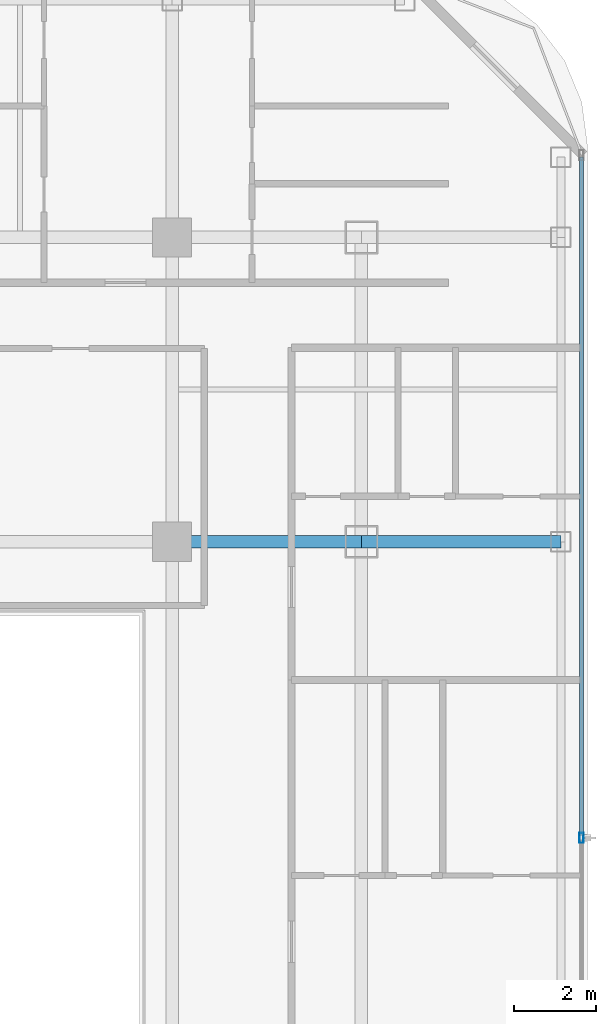
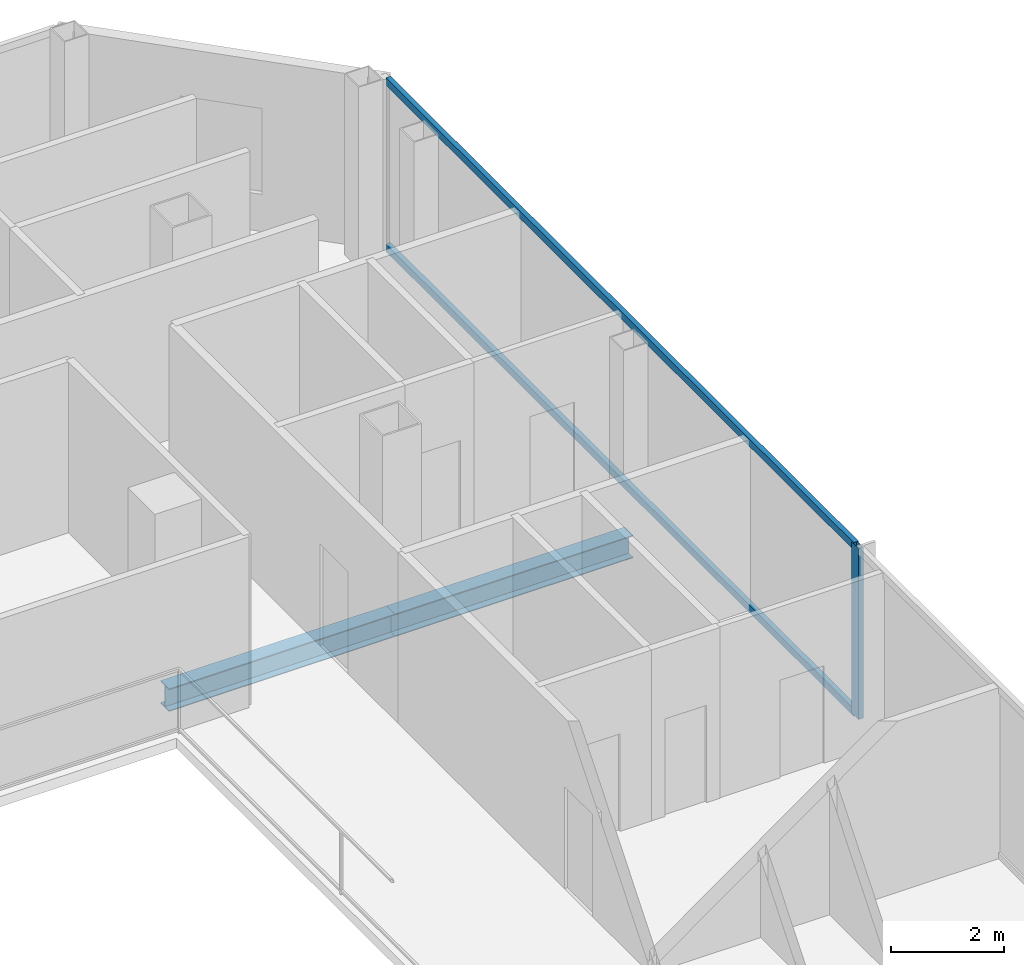
# One storey, part 10 of 26: 3 members, 2 beams, 1 element without a shape of its own.
"""IFC4 building model written with IfcOpenShell, lengths in metres."""

from ifc_helpers import new_model, si_unit, direction, frame, origin, origin_2d, place, context, subcontext, project, spatial, hollow_rectangle, i_section, extrude, material, layer, layer_set, material_profile, profile_set, type_object, element, aggregate, save


model = new_model("IFC4")

# Units and contexts
model_context = context("Model", 3, precision=1e-05, world=origin(), true_north=direction((0.0, 1.0)))
body_context = subcontext(model_context, "Body", "Model", "MODEL_VIEW")
ifc_project = project(units=[si_unit("LENGTHUNIT", "METRE"), si_unit("AREAUNIT", "SQUARE_METRE"), si_unit("VOLUMEUNIT", "CUBIC_METRE"), si_unit("PLANEANGLEUNIT", "RADIAN"), si_unit("MASSUNIT", "GRAM", prefix="KILO")], contexts=[model_context])

# Site, building, storey
site_placement = place(None, origin())
site = spatial("IfcSite", under=ifc_project, at=site_placement, CompositionType="ELEMENT")
building_placement = place(site_placement, origin())
building = spatial("IfcBuilding", under=site, at=building_placement, Name="Khorvyn Point Tower", CompositionType="ELEMENT")
storey_placement = place(building_placement, frame((0.0, 0.0, 262.5)))
storey = spatial("IfcBuildingStorey", under=building, at=storey_placement, Name="L64", CompositionType="ELEMENT", Elevation=262.5)

# Curtain wall, members
ifc_material_1 = material(Name="Anodised aluminium 6063-T6 and laminated Low-E glass", Category="aluminium")
ifc_layer = layer(ifc_material_1, 0.18994140625)
ifc_layer_set = layer_set([ifc_layer], Name="Stick-Built High-Wind Curtain Wall CW-SYS-04")
curtain_wall_type = type_object("IfcCurtainWallType", Name="Stick-Built High-Wind Curtain Wall CW-SYS-04", PredefinedType="NOTDEFINED", material=ifc_layer_set)
curtain_wall_placement = place(storey_placement, origin())
curtain_wall = element("IfcCurtainWall", 1, at=curtain_wall_placement, inside=storey, type_object=curtain_wall_type, Name="Curtain Wall", PredefinedType="NOTDEFINED")
ifc_material_2 = material(Name="Anodised aluminium 6063-T6", Category="aluminium")
ifc_material_profile_1 = material_profile(ifc_material_2, hollow_rectangle(XDim=0.10009765625, YDim=0.239990234375, WallThickness=0.0048828125, at=origin_2d()))
ifc_profile_set_1 = profile_set([ifc_material_profile_1], Name="Anodised aluminium 6063-T6 ALU-MUL-100x240")
member_type_1 = type_object("IfcMemberType", Name="Anodised Aluminium 6063-T6 Mullion ALU-MUL-100x240", PredefinedType="MULLION", material=ifc_profile_set_1)
member_1_placement = place(storey_placement, frame((24.75, 0.199951171875, 0.0), z_axis=(0.0, 0.0, 1.0), x_axis=(1.0, 0.0, 0.0)))
member_1 = element("IfcMember", 2, at=member_1_placement, type_object=member_type_1, Name="Transom", PredefinedType="MULLION", context=body_context, shape_type="SweptSolid", body=[
    extrude(hollow_rectangle(XDim=0.10009765625, YDim=0.239990234375, WallThickness=0.0048828125, at=origin_2d()), origin(), (0.0, 0.0, 1.0), 3.679931640625),
])
ifc_material_profile_2 = material_profile(ifc_material_2, hollow_rectangle(XDim=0.10009765625, YDim=0.159912109375, WallThickness=0.00439453125, at=origin_2d()))
ifc_profile_set_2 = profile_set([ifc_material_profile_2], Name="Anodised aluminium 6063-T6 ALU-TRN-100x160")
member_type_2 = type_object("IfcMemberType", Name="Anodised Aluminium 6063-T6 Transom ALU-TRN-100x160", PredefinedType="USERDEFINED", material=ifc_profile_set_2)
member_2_placement = place(storey_placement, frame((24.75, 16.75, 0.050048828125), z_axis=(0.0, -1.0, 0.0), x_axis=(1.0, 0.0, 0.0)))
member_2 = element("IfcMember", 3, at=member_2_placement, type_object=member_type_2, Name="Transom", ObjectType="TRANSOM", PredefinedType="USERDEFINED", context=body_context, shape_type="SweptSolid", body=[
    extrude(hollow_rectangle(XDim=0.10009765625, YDim=0.159912109375, WallThickness=0.00439453125, at=origin_2d()), origin(), (0.0, 0.0, 1.0), 16.5),
])
member_3_placement = place(storey_placement, frame((24.75, 16.75, 3.6298828125), z_axis=(0.0, -1.0, 0.0), x_axis=(1.0, 0.0, 0.0)))
member_3 = element("IfcMember", 4, at=member_3_placement, type_object=member_type_2, Name="Transom", ObjectType="TRANSOM", PredefinedType="USERDEFINED", context=body_context, shape_type="SweptSolid", body=[
    extrude(hollow_rectangle(XDim=0.10009765625, YDim=0.159912109375, WallThickness=0.00439453125, at=origin_2d()), origin(), (0.0, 0.0, 1.0), 16.5),
])
aggregate(curtain_wall, [member_1, member_2, member_3])

# Beams
ifc_material_3 = material(Name="Steel S355", Category="steel")
ifc_material_profile_3 = material_profile(ifc_material_3, i_section(OverallWidth=0.300048828125, OverallDepth=0.488037109375, WebThickness=0.010986328125, FlangeThickness=0.01806640625, at=origin_2d()))
ifc_profile_set_3 = profile_set([ifc_material_profile_3], Name="Steel S355 H488x300x11x18")
beam_type = type_object("IfcBeamType", Name="Steel S355 Spandrel H488x300x11x18", PredefinedType="SPANDREL", material=ifc_profile_set_3)
beam_1_placement = place(storey_placement, frame((14.800048828125, 7.39990234375, -0.464111328125), z_axis=(1.0, 0.0, 0.0), x_axis=(0.0, 1.0, 0.0)))
element("IfcBeam", 5, at=beam_1_placement, inside=storey, type_object=beam_type, Name="Beam", PredefinedType="SPANDREL", context=body_context, shape_type="SweptSolid", body=[
    extrude(i_section(OverallWidth=0.300048828125, OverallDepth=0.488037109375, WebThickness=0.010986328125, FlangeThickness=0.01806640625, at=origin_2d()), origin(), (0.0, 0.0, 1.0), 4.599853515625),
])
beam_2_placement = place(storey_placement, frame((19.39990234375, 7.39990234375, -0.464111328125), z_axis=(1.0, 0.0, 0.0), x_axis=(0.0, 1.0, 0.0)))
element("IfcBeam", 6, at=beam_2_placement, inside=storey, type_object=beam_type, Name="Beam", PredefinedType="SPANDREL", context=body_context, shape_type="SweptSolid", body=[
    extrude(i_section(OverallWidth=0.300048828125, OverallDepth=0.488037109375, WebThickness=0.010986328125, FlangeThickness=0.01806640625, at=origin_2d()), origin(), (0.0, 0.0, 1.0), 4.85009765625),
])

save(model, "model.ifc")
